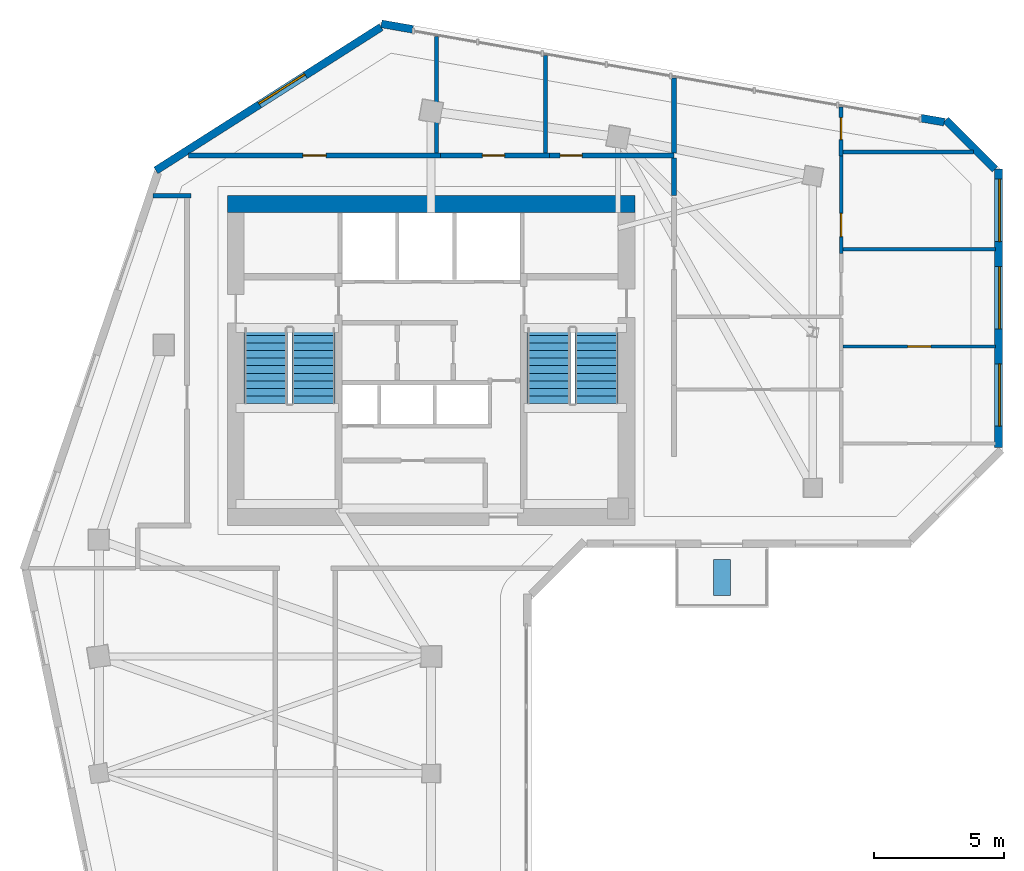
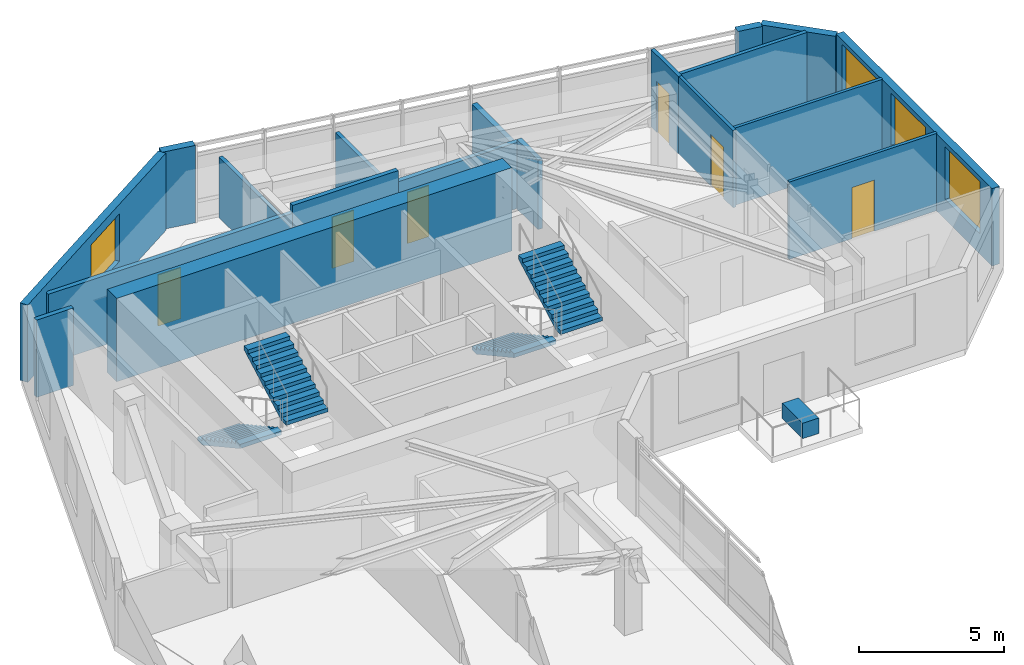
# One storey, part 6 of 9: 19 walls, 6 doors, 4 stair flights, 4 windows, 1 discrete accessory, 10 openings, 2 elements without a shape of their own.
"""IFC4 building model written with IfcOpenShell, lengths in metres."""

from ifc_helpers import new_model, si_unit, direction, frame, frame_2d, origin, origin_2d, place, context, subcontext, project, spatial, polyline, rectangle, outline, extrude, source, transform, mapped, material, layer, layer_set, type_object, element, fill, aggregate, save


model = new_model("IFC4")

# Units and contexts
model_context = context("Model", 3, precision=1e-05, world=origin(), true_north=direction((0.0, 1.0)))
body_context = subcontext(model_context, "Body", "Model", "MODEL_VIEW")
ifc_project = project(units=[si_unit("LENGTHUNIT", "METRE"), si_unit("AREAUNIT", "SQUARE_METRE"), si_unit("VOLUMEUNIT", "CUBIC_METRE"), si_unit("PLANEANGLEUNIT", "RADIAN"), si_unit("MASSUNIT", "GRAM", prefix="KILO")], contexts=[model_context])

# Site, building, storey
site_placement = place(None, origin())
site = spatial("IfcSite", under=ifc_project, at=site_placement, CompositionType="ELEMENT")
building_placement = place(site_placement, origin())
building = spatial("IfcBuilding", under=site, at=building_placement, Name="Calvemar Wedge Station Tower", CompositionType="ELEMENT")
storey_placement = place(building_placement, frame((0.0, 0.0, 228.89990234375)))
storey = spatial("IfcBuildingStorey", under=building, at=storey_placement, Name="L58", CompositionType="ELEMENT", Elevation=228.89990234375)

# Walls
ifc_material_1 = material(Name="Concrete C60", Category="concrete")
ifc_layer_1 = layer(ifc_material_1, 0.64990234375)
ifc_layer_set_1 = layer_set([ifc_layer_1], Name="Concrete C60")
wall_type_1 = type_object("IfcWallType", Name="SW-CORE-650", PredefinedType="SHEAR", material=ifc_layer_set_1)
wall_1_placement = place(storey_placement, frame((15.949951171875, 45.925048828125, 0.0), z_axis=(0.0, 0.0, 1.0), x_axis=(1.0, 0.0, 0.0)))
element("IfcWall", 1, at=wall_1_placement, inside=storey, type_object=wall_type_1, Name="Storey L58 Core Shear Wall N", PredefinedType="SHEAR", context=body_context, shape_type="SweptSolid", body=[
    extrude(rectangle(XDim=15.699951171875, YDim=0.64990234375, at=frame_2d((7.85009765625, 0.0))), origin(), (0.0, 0.0, 1.0), 3.5),
])
ifc_material_2 = material(Name="Double-stud fire-rated corridor partition")
ifc_layer_2 = layer(ifc_material_2, 0.179931640625)
ifc_layer_set_2 = layer_set([ifc_layer_2], Name="Double-stud fire-rated corridor partition")
wall_type_2 = type_object("IfcWallType", Name="W-CORR-180", PredefinedType="PARTITIONING", material=ifc_layer_set_2)
wall_2_placement = place(storey_placement, frame((14.56005859375, 46.25, 0.0), z_axis=(0.0, 0.0, 1.0), x_axis=(-1.0, 0.0, 0.0)))
element("IfcWall", 2, at=wall_2_placement, inside=storey, type_object=wall_type_2, Name="Storey L58 Interior Partition WL-L58-013", PredefinedType="PARTITIONING", context=body_context, shape_type="SweptSolid", body=[
    extrude(rectangle(XDim=1.46875, YDim=0.179931640625, at=frame_2d((0.734375, 0.0))), origin(), (0.0, 0.0, 1.0), 3.25),
])

# Wall, opening, door
wall_3_placement = place(storey_placement, frame((14.45263671875, 47.800048828125, 0.0), z_axis=(0.0, 0.0, 1.0), x_axis=(1.0, 0.0, 0.0)))
wall_3 = element("IfcWall", 3, at=wall_3_placement, inside=storey, type_object=wall_type_2, Name="Storey L58 Interior Partition WL-L58-014", PredefinedType="PARTITIONING", context=body_context, shape_type="SweptSolid", body=[
    extrude(rectangle(XDim=9.707275390625, YDim=0.179931640625, at=frame_2d((4.853515625, 0.0))), origin(), (0.0, 0.0, 1.0), 2.919189453125),
])
shared_shape_1 = source(origin(), body_context, "Body", "SweptSolid", [
    extrude(rectangle(XDim=0.89990234375, YDim=2.14990234375, at=frame_2d((0.449951171875, 1.074951171875))), frame((0.0, 0.10009765625, 0.0), z_axis=(0.0, -1.0, 0.0), x_axis=(1.0, 0.0, 0.0)), (0.0, 0.0, 1.0), 0.199951171875),
])
opening_1_placement = place(wall_3_placement, frame((4.40380859375, 0.0, 0.0)))
opening_1 = element("IfcOpeningElement", 4, at=opening_1_placement, cuts=wall_3, Name="Opening D-01", PredefinedType="OPENING", context=body_context, shape_type="MappedRepresentation", body=[
    mapped(shared_shape_1, transform((0.0, 0.0, 0.0), scale=1.0)),
])
ifc_material_3 = material(Name="Architectural hardwood acoustic swing door", Category="wood")
door_type_1 = type_object("IfcDoorType", Name="DR-INT-900", OperationType="NOTDEFINED", PredefinedType="DOOR", material=ifc_material_3)
shared_shape_2 = source(origin(), body_context, "Body", "SweptSolid", [
    extrude(rectangle(XDim=0.89990234375, YDim=2.14990234375, at=frame_2d((0.449951171875, 1.074951171875))), frame((0.0, 0.02490234375, 0.0), z_axis=(0.0, -1.0, 0.0), x_axis=(1.0, 0.0, 0.0)), (0.0, 0.0, 1.0), 0.050048828125),
])
door_1_placement = place(opening_1_placement, origin())
door_1 = element("IfcDoor", 5, at=door_1_placement, inside=storey, type_object=door_type_1, Name="L58 Cinema Club Room Door", OperationType="SINGLE_SWING_RIGHT", OverallHeight=2.14990234375, OverallWidth=0.89990234375, PredefinedType="DOOR", context=body_context, shape_type="MappedRepresentation", body=[
    mapped(shared_shape_2, transform((0.0, 0.0, 0.0), scale=1.0)),
])
fill(opening_1, door_1)

wall_4_placement = place(storey_placement, frame((24.162109375, 47.800048828125, 0.0), z_axis=(0.0, 0.0, 1.0), x_axis=(1.0, 0.0, 0.0)))
wall_4 = element("IfcWall", 6, at=wall_4_placement, inside=storey, type_object=wall_type_2, Name="Storey L58 Interior Partition WL-L58-015", PredefinedType="PARTITIONING", context=body_context, shape_type="SweptSolid", body=[
    extrude(rectangle(XDim=4.197998046875, YDim=0.179931640625, at=frame_2d((2.09912109375, 0.0))), origin(), (0.0, 0.0, 1.0), 3.25),
])
shared_shape_3 = source(origin(), body_context, "Body", "SweptSolid", [
    extrude(rectangle(XDim=0.85009765625, YDim=2.14990234375, at=frame_2d((0.425048828125, 1.074951171875))), frame((0.0, 0.10009765625, 0.0), z_axis=(0.0, -1.0, 0.0), x_axis=(1.0, 0.0, 0.0)), (0.0, 0.0, 1.0), 0.199951171875),
])
opening_2_placement = place(wall_4_placement, frame((1.61328125, 0.0, 0.0)))
opening_2 = element("IfcOpeningElement", 7, at=opening_2_placement, cuts=wall_4, Name="Opening D-02", PredefinedType="OPENING", context=body_context, shape_type="MappedRepresentation", body=[
    mapped(shared_shape_3, transform((0.0, 0.0, 0.0), scale=1.0)),
])
ifc_material_4 = material(Name="Moisture-sealed bathroom hardwood swing door", Category="wood")
door_type_2 = type_object("IfcDoorType", Name="DR-WET-850", OperationType="NOTDEFINED", PredefinedType="DOOR", material=ifc_material_4)
shared_shape_4 = source(origin(), body_context, "Body", "SweptSolid", [
    extrude(rectangle(XDim=0.85009765625, YDim=2.14990234375, at=frame_2d((0.425048828125, 1.074951171875))), frame((0.0, 0.02490234375, 0.0), z_axis=(0.0, -1.0, 0.0), x_axis=(1.0, 0.0, 0.0)), (0.0, 0.0, 1.0), 0.050048828125),
])
door_2_placement = place(opening_2_placement, origin())
door_2 = element("IfcDoor", 8, at=door_2_placement, inside=storey, type_object=door_type_2, Name="L58 Accessible WC Door", OperationType="SINGLE_SWING_LEFT", OverallHeight=2.14990234375, OverallWidth=0.85009765625, PredefinedType="DOOR", context=body_context, shape_type="MappedRepresentation", body=[
    mapped(shared_shape_4, transform((0.0, 0.0, 0.0), scale=1.0)),
])
fill(opening_2, door_2)

wall_5_placement = place(storey_placement, frame((28.362060546875, 47.800048828125, 0.0), z_axis=(0.0, 0.0, 1.0), x_axis=(1.0, 0.0, 0.0)))
wall_5 = element("IfcWall", 9, at=wall_5_placement, inside=storey, type_object=wall_type_2, Name="Storey L58 Interior Partition WL-L58-016", PredefinedType="PARTITIONING", context=body_context, shape_type="SweptSolid", body=[
    extrude(rectangle(XDim=4.787841796875, YDim=0.179931640625, at=frame_2d((2.39404296875, 0.0))), origin(), (0.0, 0.0, 1.0), 2.779052734375),
])
opening_3_placement = place(wall_5_placement, frame((0.400634765625, 0.0, 0.0)))
opening_3 = element("IfcOpeningElement", 10, at=opening_3_placement, cuts=wall_5, Name="Opening D-02", PredefinedType="OPENING", context=body_context, shape_type="MappedRepresentation", body=[
    mapped(shared_shape_3, transform((0.0, 0.0, 0.0), scale=1.0)),
])
door_3_placement = place(opening_3_placement, origin())
door_3 = element("IfcDoor", 11, at=door_3_placement, inside=storey, type_object=door_type_2, Name="L58 Storage Room Door", OperationType="SINGLE_SWING_RIGHT", OverallHeight=2.14990234375, OverallWidth=0.85009765625, PredefinedType="DOOR", context=body_context, shape_type="MappedRepresentation", body=[
    mapped(shared_shape_4, transform((0.0, 0.0, 0.0), scale=1.0)),
])
fill(opening_3, door_3)

# Walls
wall_6_placement = place(storey_placement, frame((33.14990234375, 47.7060546875, 0.0), z_axis=(0.0, 0.0, 1.0), x_axis=(0.0, -1.0, 0.0)))
element("IfcWall", 12, at=wall_6_placement, inside=storey, type_object=wall_type_2, Name="Storey L58 Interior Partition WL-L58-017", PredefinedType="PARTITIONING", context=body_context, shape_type="SweptSolid", body=[
    extrude(rectangle(XDim=1.4560546875, YDim=0.179931640625, at=frame_2d((0.72802734375, 0.0))), origin(), (0.0, 0.0, 1.0), 2.919189453125),
])
ifc_material_5 = material(Name="Twin-stud fire-rated inter-tenancy wall")
ifc_layer_3 = layer(ifc_material_5, 0.199951171875)
ifc_layer_set_3 = layer_set([ifc_layer_3], Name="Twin-stud fire-rated inter-tenancy wall")
wall_type_3 = type_object("IfcWallType", Name="W-DEMISE-200", PredefinedType="PARTITIONING", material=ifc_layer_set_3)
wall_7_placement = place(storey_placement, frame((33.14990234375, 50.783203125, 0.0), z_axis=(0.0, 0.0, 1.0), x_axis=(0.0, -1.0, 0.0)))
element("IfcWall", 13, at=wall_7_placement, inside=storey, type_object=wall_type_3, Name="Storey L58 Interior Partition WL-L58-024", PredefinedType="PARTITIONING", context=body_context, shape_type="SweptSolid", body=[
    extrude(rectangle(XDim=2.88916015625, YDim=0.199951171875, at=frame_2d((1.444580078125, 0.0))), origin(), (0.0, 0.0, 1.0), 2.5419921875),
])

# Wall, openings, windows
ifc_material_6 = material(Name="Precast concrete C45", Category="concrete")
ifc_layer_4 = layer(ifc_material_6, 0.300048828125)
ifc_layer_set_4 = layer_set([ifc_layer_4], Name="Precast concrete C45")
wall_type_4 = type_object("IfcWallType", Name="W-EXT-GFRC-300", PredefinedType="SOLIDWALL", material=ifc_layer_set_4)
wall_8_placement = place(storey_placement, frame((45.64990234375, 36.54931640625, 0.0), z_axis=(0.0, 0.0, 1.0), x_axis=(0.0, 1.0, 0.0)))
wall_8 = element("IfcWall", 14, at=wall_8_placement, inside=storey, type_object=wall_type_4, Name="Storey L58 Bronze GFRC Exterior Wall 8", PredefinedType="SOLIDWALL", context=body_context, shape_type="SweptSolid", body=[
    extrude(rectangle(XDim=10.73046875, YDim=0.300048828125, at=frame_2d((5.365234375, 0.0))), origin(), (0.0, 0.0, 1.0), 3.25),
])
shared_shape_5 = source(origin(), body_context, "Body", "SweptSolid", [
    extrude(rectangle(XDim=2.39990234375, YDim=2.199951171875, at=frame_2d((1.199951171875, 1.10009765625))), frame((0.0, 0.16015625, 0.0), z_axis=(0.0, -1.0, 0.0), x_axis=(1.0, 0.0, 0.0)), (0.0, 0.0, 1.0), 0.320068359375),
])
opening_4_placement = place(wall_8_placement, frame((0.823974609375, 0.0, 0.85009765625)))
opening_4 = element("IfcOpeningElement", 15, at=opening_4_placement, cuts=wall_8, Name="Opening W1", PredefinedType="OPENING", context=body_context, shape_type="MappedRepresentation", body=[
    mapped(shared_shape_5, transform((0.0, 0.0, 0.0), scale=1.0)),
])
opening_5_placement = place(wall_8_placement, frame((4.568115234375, 0.0, 0.85009765625)))
opening_5 = element("IfcOpeningElement", 16, at=opening_5_placement, cuts=wall_8, Name="Opening W1", PredefinedType="OPENING", context=body_context, shape_type="MappedRepresentation", body=[
    mapped(shared_shape_5, transform((0.0, 0.0, 0.0), scale=1.0)),
])
opening_6_placement = place(wall_8_placement, frame((7.93505859375, 0.0, 0.85009765625)))
opening_6 = element("IfcOpeningElement", 17, at=opening_6_placement, cuts=wall_8, Name="Opening W1", PredefinedType="OPENING", context=body_context, shape_type="MappedRepresentation", body=[
    mapped(shared_shape_5, transform((0.0, 0.0, 0.0), scale=1.0)),
])
ifc_material_7 = material(Name="Low-E laminated insulated glass", Category="glass")
window_type_1 = type_object("IfcWindowType", Name="WIN-EXT-1", PartitioningType="SINGLE_PANEL", PredefinedType="WINDOW", material=ifc_material_7)
shared_shape_6 = source(origin(), body_context, "Body", "SweptSolid", [
    extrude(rectangle(XDim=2.39990234375, YDim=2.199951171875, at=frame_2d((1.199951171875, 1.10009765625))), frame((0.0, -0.014892578125, 0.0), z_axis=(0.0, -1.0, 0.0), x_axis=(1.0, 0.0, 0.0)), (0.0, 0.0, 1.0), 0.06005859375),
])
window_1_placement = place(opening_4_placement, origin())
window_1 = element("IfcWindow", 18, at=window_1_placement, inside=storey, type_object=window_type_1, Name="Storey L58 Recessed Window 8.1", OverallHeight=2.199951171875, OverallWidth=2.39990234375, PartitioningType="SINGLE_PANEL", PredefinedType="WINDOW", context=body_context, shape_type="MappedRepresentation", body=[
    mapped(shared_shape_6, transform((0.0, 0.0, 0.0), scale=1.0)),
])
fill(opening_4, window_1)
window_2_placement = place(opening_5_placement, origin())
window_2 = element("IfcWindow", 19, at=window_2_placement, inside=storey, type_object=window_type_1, Name="Storey L58 Recessed Window 8.2", OverallHeight=2.199951171875, OverallWidth=2.39990234375, PartitioningType="SINGLE_PANEL", PredefinedType="WINDOW", context=body_context, shape_type="MappedRepresentation", body=[
    mapped(shared_shape_6, transform((0.0, 0.0, 0.0), scale=1.0)),
])
fill(opening_5, window_2)
window_3_placement = place(opening_6_placement, origin())
window_3 = element("IfcWindow", 20, at=window_3_placement, inside=storey, type_object=window_type_1, Name="Storey L58 Recessed Window 8.3", OverallHeight=2.199951171875, OverallWidth=2.39990234375, PartitioningType="SINGLE_PANEL", PredefinedType="WINDOW", context=body_context, shape_type="MappedRepresentation", body=[
    mapped(shared_shape_6, transform((0.0, 0.0, 0.0), scale=1.0)),
])
fill(opening_6, window_3)

# Walls
wall_9_placement = place(storey_placement, frame((45.511962890625, 47.267822265625, 0.0), z_axis=(0.0, 0.0, 1.0), x_axis=(-0.707106781187, 0.707106781187, 0.0)))
element("IfcWall", 21, at=wall_9_placement, inside=storey, type_object=wall_type_4, Name="Storey L58 Bronze GFRC Exterior Wall 9", PredefinedType="SOLIDWALL", context=body_context, shape_type="SweptSolid", body=[
    extrude(rectangle(XDim=2.673828125, YDim=0.300048828125, at=frame_2d((1.3369140625, 0.0))), origin(), (0.0, 0.0, 1.0), 3.25),
])
wall_10_placement = place(storey_placement, frame((43.561279296875, 49.081298828125, 0.0), z_axis=(0.0, 0.0, 1.0), x_axis=(-0.985063518612, 0.172191359539, 0.0)))
element("IfcWall", 22, at=wall_10_placement, inside=storey, type_object=wall_type_4, Name="Storey L58 Bronze GFRC Corner Pier 10A", PredefinedType="SOLIDWALL", context=body_context, shape_type="SweptSolid", body=[
    extrude(rectangle(XDim=0.908935546875, YDim=0.300048828125, at=frame_2d((0.45458984375, 0.0))), origin(), (0.0, 0.0, 1.0), 3.25),
])
wall_11_placement = place(storey_placement, frame((23.093017578125, 52.65673828125, 0.0), z_axis=(0.0, 0.0, 1.0), x_axis=(-0.985090351288, 0.172037785961, 0.0)))
element("IfcWall", 23, at=wall_11_placement, inside=storey, type_object=wall_type_4, Name="Storey L58 Bronze GFRC Corner Pier 10B", PredefinedType="SOLIDWALL", context=body_context, shape_type="SweptSolid", body=[
    extrude(rectangle(XDim=1.2275390625, YDim=0.300048828125, at=frame_2d((0.61376953125, 0.0))), origin(), (0.0, 0.0, 1.0), 3.25),
])

# Wall, opening, window
wall_12_placement = place(storey_placement, frame((21.873779296875, 52.741943359375, 0.0), z_axis=(0.0, 0.0, 1.0), x_axis=(-0.84365659959, -0.536883173482, 0.0)))
wall_12 = element("IfcWall", 24, at=wall_12_placement, inside=storey, type_object=wall_type_4, Name="Storey L58 Bronze GFRC Exterior Wall 11", PredefinedType="SOLIDWALL", context=body_context, shape_type="SweptSolid", body=[
    extrude(rectangle(XDim=10.282958984375, YDim=0.300048828125, at=frame_2d((5.1416015625, 0.0))), origin(), (0.0, 0.0, 1.0), 3.25),
])
shared_shape_7 = source(origin(), body_context, "Body", "SweptSolid", [
    extrude(rectangle(XDim=2.10009765625, YDim=2.0, at=frame_2d((1.050048828125, 1.0))), frame((0.0, 0.16015625, 0.0), z_axis=(0.0, -1.0, 0.0), x_axis=(1.0, 0.0, 0.0)), (0.0, 0.0, 1.0), 0.320068359375),
])
opening_7_placement = place(wall_12_placement, frame((3.45703125, 0.0, 0.85009765625)))
opening_7 = element("IfcOpeningElement", 25, at=opening_7_placement, cuts=wall_12, Name="Opening W4", PredefinedType="OPENING", context=body_context, shape_type="MappedRepresentation", body=[
    mapped(shared_shape_7, transform((0.0, 0.0, 0.0), scale=1.0)),
])
window_type_2 = type_object("IfcWindowType", Name="WIN-EXT-4", PartitioningType="SINGLE_PANEL", PredefinedType="WINDOW", material=ifc_material_7)
shared_shape_8 = source(origin(), body_context, "Body", "SweptSolid", [
    extrude(rectangle(XDim=2.10009765625, YDim=2.0, at=frame_2d((1.050048828125, 1.0))), frame((0.0, -0.014892578125, 0.0), z_axis=(0.0, -1.0, 0.0), x_axis=(1.0, 0.0, 0.0)), (0.0, 0.0, 1.0), 0.06005859375),
])
window_4_placement = place(opening_7_placement, origin())
window_4 = element("IfcWindow", 26, at=window_4_placement, inside=storey, type_object=window_type_2, Name="Storey L58 Recessed Window 11.1", OverallHeight=2.0, OverallWidth=2.10009765625, PartitioningType="SINGLE_PANEL", PredefinedType="WINDOW", context=body_context, shape_type="MappedRepresentation", body=[
    mapped(shared_shape_8, transform((0.0, 0.0, 0.0), scale=1.0)),
])
fill(opening_7, window_4)

# Wall, opening, door
ifc_material_8 = material(Name="Insulated acoustic gypsum stud partition")
ifc_layer_5 = layer(ifc_material_8, 0.125)
ifc_layer_set_5 = layer_set([ifc_layer_5], Name="Insulated acoustic gypsum stud partition")
wall_type_5 = type_object("IfcWallType", Name="W-PART-125", PredefinedType="PARTITIONING", material=ifc_layer_set_5)
wall_13_placement = place(storey_placement, frame((39.590087890625, 47.77099609375, 0.0), z_axis=(0.0, 0.0, 1.0), x_axis=(0.0, -1.0, 0.0)))
wall_13 = element("IfcWall", 27, at=wall_13_placement, inside=storey, type_object=wall_type_5, Name="Storey L58 Interior Partition WL-L58-030", PredefinedType="PARTITIONING", context=body_context, shape_type="SweptSolid", body=[
    extrude(rectangle(XDim=3.741943359375, YDim=0.125, at=frame_2d((1.87109375, 0.0))), origin(), (0.0, 0.0, 1.0), 3.25),
])
shared_shape_9 = source(origin(), body_context, "Body", "SweptSolid", [
    extrude(rectangle(XDim=0.89990234375, YDim=2.14990234375, at=frame_2d((0.449951171875, 1.074951171875))), frame((0.0, 0.072509765625, 0.0), z_axis=(0.0, -1.0, 0.0), x_axis=(1.0, 0.0, 0.0)), (0.0, 0.0, 1.0), 0.14501953125),
])
opening_8_placement = place(wall_13_placement, frame((2.20166015625, 0.0, 0.0)))
opening_8 = element("IfcOpeningElement", 28, at=opening_8_placement, cuts=wall_13, Name="Opening D-01", PredefinedType="OPENING", context=body_context, shape_type="MappedRepresentation", body=[
    mapped(shared_shape_9, transform((0.0, 0.0, 0.0), scale=1.0)),
])
door_4_placement = place(opening_8_placement, origin())
door_4 = element("IfcDoor", 29, at=door_4_placement, inside=storey, type_object=door_type_1, Name="L58 Master Bedroom Door", OperationType="SINGLE_SWING_LEFT", OverallHeight=2.14990234375, OverallWidth=0.89990234375, PredefinedType="DOOR", context=body_context, shape_type="MappedRepresentation", body=[
    mapped(shared_shape_2, transform((0.0, 0.0, 0.0), scale=1.0)),
])
fill(opening_8, door_4)

# Wall
wall_14_placement = place(storey_placement, frame((45.534912109375, 44.18896484375, 0.0), z_axis=(0.0, 0.0, 1.0), x_axis=(-1.0, 0.0, 0.0)))
element("IfcWall", 30, at=wall_14_placement, inside=storey, type_object=wall_type_5, Name="Storey L58 Interior Partition WL-L58-035", PredefinedType="PARTITIONING", context=body_context, shape_type="SweptSolid", body=[
    extrude(rectangle(XDim=5.87841796875, YDim=0.125, at=frame_2d((2.939208984375, 0.0))), origin(), (0.0, 0.0, 1.0), 3.25),
])

# Wall, opening, door
wall_15_placement = place(storey_placement, frame((45.534912109375, 40.445068359375, 0.0), z_axis=(0.0, 0.0, 1.0), x_axis=(-1.0, 0.0, 0.0)))
wall_15 = element("IfcWall", 31, at=wall_15_placement, inside=storey, type_object=wall_type_5, Name="Storey L58 Interior Partition WL-L58-036", PredefinedType="PARTITIONING", context=body_context, shape_type="SweptSolid", body=[
    extrude(rectangle(XDim=5.87841796875, YDim=0.125, at=frame_2d((2.939208984375, 0.0))), origin(), (0.0, 0.0, 1.0), 3.25),
])
opening_9_placement = place(wall_15_placement, frame((2.4892578125, 0.0, 0.0)))
opening_9 = element("IfcOpeningElement", 32, at=opening_9_placement, cuts=wall_15, Name="Opening D-01", PredefinedType="OPENING", context=body_context, shape_type="MappedRepresentation", body=[
    mapped(shared_shape_9, transform((0.0, 0.0, 0.0), scale=1.0)),
])
door_5_placement = place(opening_9_placement, origin())
door_5 = element("IfcDoor", 33, at=door_5_placement, inside=storey, type_object=door_type_1, Name="L58 Bedroom Door", OperationType="SINGLE_SWING_LEFT", OverallHeight=2.14990234375, OverallWidth=0.89990234375, PredefinedType="DOOR", context=body_context, shape_type="MappedRepresentation", body=[
    mapped(shared_shape_2, transform((0.0, 0.0, 0.0), scale=1.0)),
])
fill(opening_9, door_5)

# Walls
ifc_material_9 = material(Name="Moisture-resistant acoustic bathroom partition")
ifc_layer_6 = layer(ifc_material_9, 0.14990234375)
ifc_layer_set_6 = layer_set([ifc_layer_6], Name="Moisture-resistant acoustic bathroom partition")
wall_type_6 = type_object("IfcWallType", Name="W-WET-150", PredefinedType="PARTITIONING", material=ifc_layer_set_6)
wall_16_placement = place(storey_placement, frame((24.0, 52.381591796875, 0.0), z_axis=(0.0, 0.0, 1.0), x_axis=(0.0, -1.0, 0.0)))
element("IfcWall", 34, at=wall_16_placement, inside=storey, type_object=wall_type_6, Name="Storey L58 Interior Partition WL-L58-022", PredefinedType="PARTITIONING", context=body_context, shape_type="SweptSolid", body=[
    extrude(rectangle(XDim=4.487548828125, YDim=0.14990234375, at=frame_2d((2.24365234375, 0.0))), origin(), (0.0, 0.0, 1.0), 2.5419921875),
])
wall_17_placement = place(storey_placement, frame((28.199951171875, 51.64794921875, 0.0), z_axis=(0.0, 0.0, 1.0), x_axis=(0.0, -1.0, 0.0)))
element("IfcWall", 35, at=wall_17_placement, inside=storey, type_object=wall_type_6, Name="Storey L58 Interior Partition WL-L58-023", PredefinedType="PARTITIONING", context=body_context, shape_type="SweptSolid", body=[
    extrude(rectangle(XDim=3.75390625, YDim=0.14990234375, at=frame_2d((1.876953125, 0.0))), origin(), (0.0, 0.0, 1.0), 2.5419921875),
])

# Wall, opening, door
wall_18_placement = place(storey_placement, frame((39.590087890625, 49.658447265625, 0.0), z_axis=(0.0, 0.0, 1.0), x_axis=(0.0, -1.0, 0.0)))
wall_18 = element("IfcWall", 36, at=wall_18_placement, inside=storey, type_object=wall_type_6, Name="Storey L58 Interior Partition WL-L58-029", PredefinedType="PARTITIONING", context=body_context, shape_type="SweptSolid", body=[
    extrude(rectangle(XDim=1.885498046875, YDim=0.14990234375, at=frame_2d((0.94287109375, 0.0))), origin(), (0.0, 0.0, 1.0), 3.25),
])
shared_shape_10 = source(origin(), body_context, "Body", "SweptSolid", [
    extrude(rectangle(XDim=0.85009765625, YDim=2.14990234375, at=frame_2d((0.425048828125, 1.074951171875))), frame((0.0, 0.0849609375, 0.0), z_axis=(0.0, -1.0, 0.0), x_axis=(1.0, 0.0, 0.0)), (0.0, 0.0, 1.0), 0.169921875),
])
opening_10_placement = place(wall_18_placement, frame((0.398681640625, 0.0, 0.0)))
opening_10 = element("IfcOpeningElement", 37, at=opening_10_placement, cuts=wall_18, Name="Opening D-02", PredefinedType="OPENING", context=body_context, shape_type="MappedRepresentation", body=[
    mapped(shared_shape_10, transform((0.0, 0.0, 0.0), scale=1.0)),
])
door_6_placement = place(opening_10_placement, origin())
door_6 = element("IfcDoor", 38, at=door_6_placement, inside=storey, type_object=door_type_2, Name="L58 Bathroom Door", OperationType="SINGLE_SWING_RIGHT", OverallHeight=2.14990234375, OverallWidth=0.85009765625, PredefinedType="DOOR", context=body_context, shape_type="MappedRepresentation", body=[
    mapped(shared_shape_4, transform((0.0, 0.0, 0.0), scale=1.0)),
])
fill(opening_10, door_6)

# Wall
wall_19_placement = place(storey_placement, frame((44.68408203125, 47.93310546875, 0.0), z_axis=(0.0, 0.0, 1.0), x_axis=(-1.0, 0.0, 0.0)))
element("IfcWall", 39, at=wall_19_placement, inside=storey, type_object=wall_type_6, Name="Storey L58 Interior Partition WL-L58-034", PredefinedType="PARTITIONING", context=body_context, shape_type="SweptSolid", body=[
    extrude(rectangle(XDim=5.01513671875, YDim=0.14990234375, at=frame_2d((2.507568359375, 0.0))), origin(), (0.0, 0.0, 1.0), 3.25),
])

# Stair, stair flights
ifc_material_10 = material(Name="Concrete C45", Category="concrete")
stair_type = type_object("IfcStairType", Name="ST-TYPE-3500", PredefinedType="HALF_TURN_STAIR", material=ifc_material_10)
stair_1_placement = place(storey_placement, origin())
stair_1 = element("IfcStair", 40, at=stair_1_placement, inside=storey, type_object=stair_type, Name="L58 Pressurized Core Exit Stair ST-C1", PredefinedType="HALF_TURN_STAIR")
stair_flight_type = type_object("IfcStairFlightType", Name="STF-TYPE-3500", PredefinedType="STRAIGHT", material=ifc_material_10)
stair_flight_1_placement = place(storey_placement, frame((17.429931640625, 41.14990234375, 0.0), z_axis=(0.0, 0.0, 1.0), x_axis=(0.0, -1.0, 0.0)))
stair_flight_1 = element("IfcStairFlight", 41, at=stair_flight_1_placement, type_object=stair_flight_type, Name="ST-C1 flight 1", NumberOfRisers=11, NumberOfTreads=10, PredefinedType="STRAIGHT", RiserHeight=0.159090909, TreadLength=0.29, context=body_context, shape_type="SweptSolid", body=[
    extrude(outline(polyline([(0.0, 0.0), (0.0, 0.1591796875), (0.2900390625, 0.1591796875), (0.2900390625, 0.318115234375), (0.580078125, 0.318115234375), (0.580078125, 0.477294921875), (0.8701171875, 0.477294921875), (0.8701171875, 0.636474609375), (1.159912109375, 0.636474609375), (1.159912109375, 0.79541015625), (1.449951171875, 0.79541015625), (1.449951171875, 0.95458984375), (1.739990234375, 0.95458984375), (1.739990234375, 1.113525390625), (2.030029296875, 1.113525390625), (2.030029296875, 1.272705078125), (2.320068359375, 1.272705078125), (2.320068359375, 1.431884765625), (2.610107421875, 1.431884765625), (2.610107421875, 1.5908203125), (2.89990234375, 1.5908203125), (2.89990234375, 1.75), (2.89990234375, 1.419921875), (0.311767578125, 0.0), (0.0, 0.0)])), frame((0.0, 0.830078125, 0.0), z_axis=(0.0, -1.0, 0.0), x_axis=(1.0, 0.0, 0.0)), (0.0, 0.0, 1.0), 1.659912109375),
])
stair_flight_2_placement = place(storey_placement, frame((19.27001953125, 38.25, 1.75), z_axis=(0.0, 0.0, 1.0), x_axis=(0.0, 1.0, 0.0)))
stair_flight_2 = element("IfcStairFlight", 42, at=stair_flight_2_placement, type_object=stair_flight_type, Name="ST-C1 flight 2", NumberOfRisers=11, NumberOfTreads=10, PredefinedType="STRAIGHT", RiserHeight=0.159090909, TreadLength=0.29, context=body_context, shape_type="SweptSolid", body=[
    extrude(outline(polyline([(0.0, 0.0), (0.0, 0.1591796875), (0.2900390625, 0.1591796875), (0.2900390625, 0.318115234375), (0.580078125, 0.318115234375), (0.580078125, 0.477294921875), (0.8701171875, 0.477294921875), (0.8701171875, 0.636474609375), (1.159912109375, 0.636474609375), (1.159912109375, 0.79541015625), (1.449951171875, 0.79541015625), (1.449951171875, 0.95458984375), (1.739990234375, 0.95458984375), (1.739990234375, 1.113525390625), (2.030029296875, 1.113525390625), (2.030029296875, 1.272705078125), (2.320068359375, 1.272705078125), (2.320068359375, 1.431884765625), (2.610107421875, 1.431884765625), (2.610107421875, 1.5908203125), (2.89990234375, 1.5908203125), (2.89990234375, 1.75), (2.89990234375, 1.419921875), (0.311767578125, 0.0), (0.0, 0.0)])), frame((0.0, 0.830078125, 0.0), z_axis=(0.0, -1.0, 0.0), x_axis=(1.0, 0.0, 0.0)), (0.0, 0.0, 1.0), 1.659912109375),
])
aggregate(stair_1, [stair_flight_1, stair_flight_2])

stair_2_placement = place(storey_placement, origin())
stair_2 = element("IfcStair", 43, at=stair_2_placement, inside=storey, type_object=stair_type, Name="L58 Pressurized Core Exit Stair ST-C2", PredefinedType="HALF_TURN_STAIR")
stair_flight_3_placement = place(storey_placement, frame((28.330078125, 41.14990234375, 0.0), z_axis=(0.0, 0.0, 1.0), x_axis=(0.0, -1.0, 0.0)))
stair_flight_3 = element("IfcStairFlight", 44, at=stair_flight_3_placement, type_object=stair_flight_type, Name="ST-C2 flight 1", NumberOfRisers=11, NumberOfTreads=10, PredefinedType="STRAIGHT", RiserHeight=0.159090909, TreadLength=0.29, context=body_context, shape_type="SweptSolid", body=[
    extrude(outline(polyline([(0.0, 0.0), (0.0, 0.1591796875), (0.2900390625, 0.1591796875), (0.2900390625, 0.318115234375), (0.580078125, 0.318115234375), (0.580078125, 0.477294921875), (0.8701171875, 0.477294921875), (0.8701171875, 0.636474609375), (1.159912109375, 0.636474609375), (1.159912109375, 0.79541015625), (1.449951171875, 0.79541015625), (1.449951171875, 0.95458984375), (1.739990234375, 0.95458984375), (1.739990234375, 1.113525390625), (2.030029296875, 1.113525390625), (2.030029296875, 1.272705078125), (2.320068359375, 1.272705078125), (2.320068359375, 1.431884765625), (2.610107421875, 1.431884765625), (2.610107421875, 1.5908203125), (2.89990234375, 1.5908203125), (2.89990234375, 1.75), (2.89990234375, 1.419921875), (0.311767578125, 0.0), (0.0, 0.0)])), frame((0.0, 0.830078125, 0.0), z_axis=(0.0, -1.0, 0.0), x_axis=(1.0, 0.0, 0.0)), (0.0, 0.0, 1.0), 1.659912109375),
])
stair_flight_4_placement = place(storey_placement, frame((30.169921875, 38.25, 1.75), z_axis=(0.0, 0.0, 1.0), x_axis=(0.0, 1.0, 0.0)))
stair_flight_4 = element("IfcStairFlight", 45, at=stair_flight_4_placement, type_object=stair_flight_type, Name="ST-C2 flight 2", NumberOfRisers=11, NumberOfTreads=10, PredefinedType="STRAIGHT", RiserHeight=0.159090909, TreadLength=0.29, context=body_context, shape_type="SweptSolid", body=[
    extrude(outline(polyline([(0.0, 0.0), (0.0, 0.1591796875), (0.2900390625, 0.1591796875), (0.2900390625, 0.318115234375), (0.580078125, 0.318115234375), (0.580078125, 0.477294921875), (0.8701171875, 0.477294921875), (0.8701171875, 0.636474609375), (1.159912109375, 0.636474609375), (1.159912109375, 0.79541015625), (1.449951171875, 0.79541015625), (1.449951171875, 0.95458984375), (1.739990234375, 0.95458984375), (1.739990234375, 1.113525390625), (2.030029296875, 1.113525390625), (2.030029296875, 1.272705078125), (2.320068359375, 1.272705078125), (2.320068359375, 1.431884765625), (2.610107421875, 1.431884765625), (2.610107421875, 1.5908203125), (2.89990234375, 1.5908203125), (2.89990234375, 1.75), (2.89990234375, 1.419921875), (0.311767578125, 0.0), (0.0, 0.0)])), frame((0.0, 0.830078125, 0.0), z_axis=(0.0, -1.0, 0.0), x_axis=(1.0, 0.0, 0.0)), (0.0, 0.0, 1.0), 1.659912109375),
])
aggregate(stair_2, [stair_flight_3, stair_flight_4])

# Discrete accessory
discrete_accessory_type = type_object("IfcDiscreteAccessoryType", Name="ACC-PLANTER", PredefinedType="USERDEFINED", material=ifc_material_6)
shared_shape_11 = source(origin(), body_context, "Body", "SweptSolid", [
    extrude(rectangle(XDim=0.64990234375, YDim=1.39990234375, at=origin_2d()), origin(), (0.0, 0.0, 1.0), 0.64990234375),
])
discrete_accessory_placement = place(storey_placement, frame((35.0, 31.5419921875, 0.000244140625), z_axis=(0.0, 0.0, 1.0), x_axis=(1.0, 0.0, 0.0)))
element("IfcDiscreteAccessory", 46, at=discrete_accessory_placement, inside=storey, type_object=discrete_accessory_type, Name="Storey L58 Planted Terrace GFRC Planter", ObjectType="PLANTER", PredefinedType="USERDEFINED", context=body_context, shape_type="MappedRepresentation", body=[
    mapped(shared_shape_11, transform((0.0, 0.0, 0.0), scale=1.0)),
])

save(model, "model.ifc")
